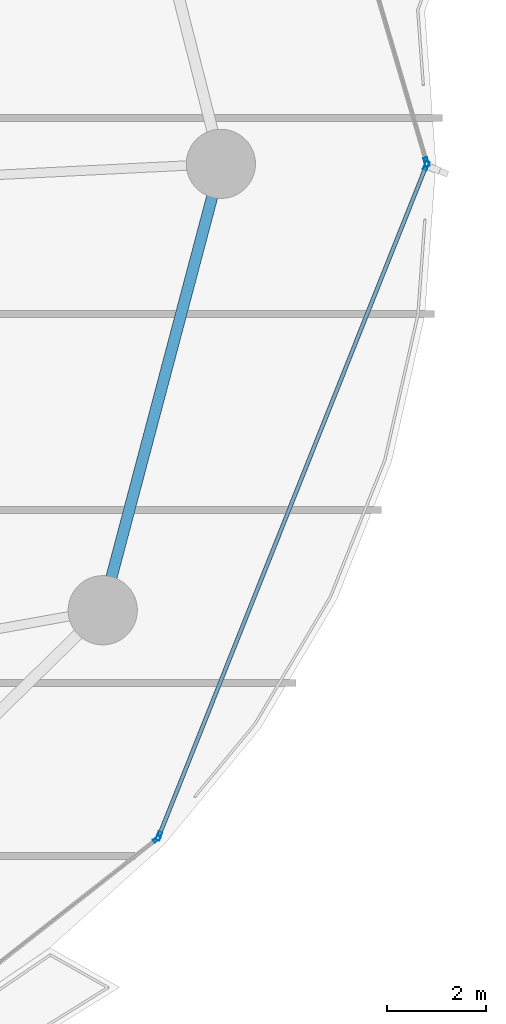
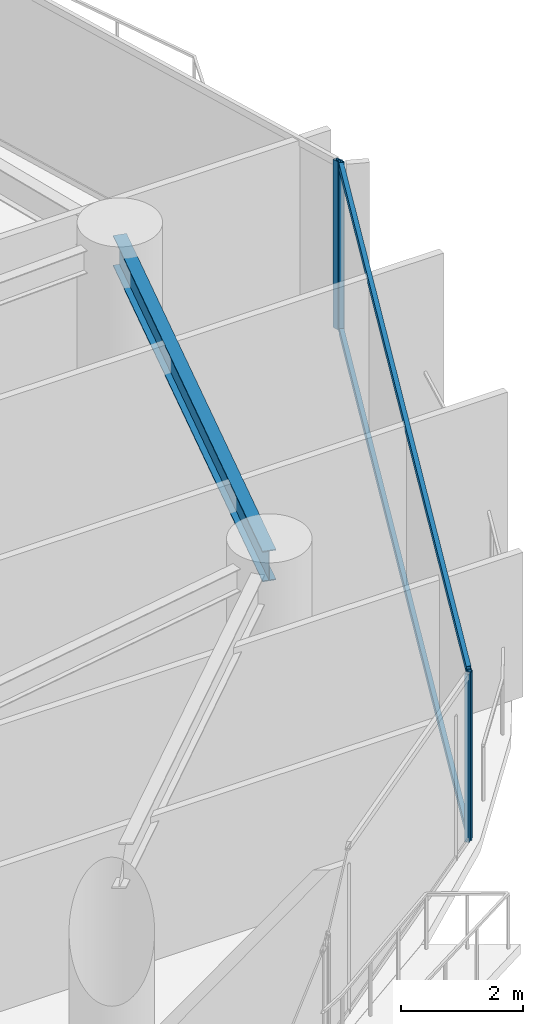
# One storey, part 22 of 32: 6 members, 1 beam, 3 elements without a shape of their own.
"""IFC4 building model written with IfcOpenShell, lengths in metres."""

from ifc_helpers import new_model, si_unit, direction, frame, origin, origin_2d, place, context, subcontext, project, spatial, hollow_rectangle, i_section, extrude, material, layer, layer_set, material_profile, profile_set, type_object, element, aggregate, save


model = new_model("IFC4")

# Units and contexts
model_context = context("Model", 3, precision=1e-05, world=origin(), true_north=direction((0.0, 1.0)))
body_context = subcontext(model_context, "Body", "Model", "MODEL_VIEW")
ifc_project = project(units=[si_unit("LENGTHUNIT", "METRE"), si_unit("AREAUNIT", "SQUARE_METRE"), si_unit("VOLUMEUNIT", "CUBIC_METRE"), si_unit("PLANEANGLEUNIT", "RADIAN"), si_unit("MASSUNIT", "GRAM", prefix="KILO")], contexts=[model_context])

# Site, building, storey
site_placement = place(None, origin())
site = spatial("IfcSite", under=ifc_project, at=site_placement, CompositionType="ELEMENT")
building_placement = place(site_placement, origin())
building = spatial("IfcBuilding", under=site, at=building_placement, Name="Kazevale Care Tower and Concert Hall", CompositionType="ELEMENT")
storey_placement = place(building_placement, frame((0.0, 0.0, 24.0)))
storey = spatial("IfcBuildingStorey", under=building, at=storey_placement, Name="L05", CompositionType="ELEMENT", Elevation=24.0)

# Curtain wall, members
ifc_material_1 = material(Name="Aluminium 6063-T6 and Low-E Glass", Category="aluminium")
ifc_layer_1 = layer(ifc_material_1, 0.179931640625)
ifc_layer_set_1 = layer_set([ifc_layer_1], Name="Aluminium 6063-T6 and Low-E Glass")
curtain_wall_type_1 = type_object("IfcCurtainWallType", Name="Waist & Upper Residential Curtain Wall CW-4", PredefinedType="NOTDEFINED", material=ifc_layer_set_1)
curtain_wall_1_placement = place(storey_placement, origin())
curtain_wall_1 = element("IfcCurtainWall", 1, at=curtain_wall_1_placement, inside=storey, type_object=curtain_wall_type_1, Name="cw:L05:f01", PredefinedType="NOTDEFINED")
ifc_material_2 = material(Name="Aluminium 6063-T6", Category="aluminium")
ifc_material_profile_1 = material_profile(ifc_material_2, hollow_rectangle(XDim=0.080078125, YDim=0.179931640625, WallThickness=0.0048828125, at=origin_2d()), Name="ALU80x180x5")
ifc_profile_set_1 = profile_set([ifc_material_profile_1], Name="Aluminium 6063-T6")
member_type_1 = type_object("IfcMemberType", Name="CW-4 Mullion ALU80x180x5", PredefinedType="MULLION", material=ifc_profile_set_1)
member_1_placement = place(storey_placement, frame((80.605224609375, 37.962890625, 0.0), z_axis=(0.0, 0.0, 1.0), x_axis=(0.928861412274, -0.370427424456, 0.0)))
member_1 = element("IfcMember", 2, at=member_1_placement, type_object=member_type_1, Name="CW-4 mullion 1", PredefinedType="MULLION", context=body_context, shape_type="SweptSolid", body=[
    extrude(hollow_rectangle(XDim=0.080078125, YDim=0.179931640625, WallThickness=0.0048828125, at=origin_2d()), origin(), (0.0, 0.0, 1.0), 3.360107421875),
])
member_2_placement = place(storey_placement, frame((75.19677734375, 24.401123046875, 0.0), z_axis=(0.0, 0.0, 1.0), x_axis=(0.928861412274, -0.370427424456, 0.0)))
member_2 = element("IfcMember", 3, at=member_2_placement, type_object=member_type_1, Name="CW-4 mullion 2", PredefinedType="MULLION", context=body_context, shape_type="SweptSolid", body=[
    extrude(hollow_rectangle(XDim=0.080078125, YDim=0.179931640625, WallThickness=0.0048828125, at=origin_2d()), origin(), (0.0, 0.0, 1.0), 3.360107421875),
])

# Curtain wall, member
curtain_wall_2_placement = place(storey_placement, origin())
curtain_wall_2 = element("IfcCurtainWall", 4, at=curtain_wall_2_placement, inside=storey, type_object=curtain_wall_type_1, Name="cw:L05:f18", PredefinedType="NOTDEFINED")
member_3_placement = place(storey_placement, frame((80.608642578125, 38.038330078125, 0.0), z_axis=(0.0, 0.0, 1.0), x_axis=(0.959173119586, 0.282819600918, 0.0)))
member_3 = element("IfcMember", 5, at=member_3_placement, type_object=member_type_1, Name="CW-4 mullion 2", PredefinedType="MULLION", context=body_context, shape_type="SweptSolid", body=[
    extrude(hollow_rectangle(XDim=0.080078125, YDim=0.179931640625, WallThickness=0.0048828125, at=origin_2d()), origin(), (0.0, 0.0, 1.0), 3.360107421875),
])
aggregate(curtain_wall_2, [member_3])

# Member
ifc_material_profile_2 = material_profile(ifc_material_2, hollow_rectangle(XDim=0.080078125, YDim=0.139892578125, WallThickness=0.00390625, at=origin_2d()), Name="ALU80x140x4")
ifc_profile_set_2 = profile_set([ifc_material_profile_2], Name="Aluminium 6063-T6")
member_type_2 = type_object("IfcMemberType", Name="CW-4 Transom ALU80x140x4", PredefinedType="USERDEFINED", material=ifc_profile_set_2)
member_4_placement = place(storey_placement, frame((80.59033203125, 37.92578125, 0.0400390625), z_axis=(-0.370419345682, -0.928864634026, 0.0), x_axis=(0.928864634026, -0.370419345682, 0.0)))
member_4 = element("IfcMember", 6, at=member_4_placement, type_object=member_type_2, Name="CW-4 transom 1.1", ObjectType="TRANSOM", PredefinedType="USERDEFINED", context=body_context, shape_type="SweptSolid", body=[
    extrude(hollow_rectangle(XDim=0.080078125, YDim=0.139892578125, WallThickness=0.00390625, at=origin_2d()), origin(), (0.0, 0.0, 1.0), 14.5205078125),
])

member_5_placement = place(storey_placement, frame((80.59033203125, 37.92578125, 3.320068359375), z_axis=(-0.370419345682, -0.928864634026, 0.0), x_axis=(0.928864634026, -0.370419345682, 0.0)))
member_5 = element("IfcMember", 7, at=member_5_placement, type_object=member_type_2, Name="CW-4 transom 1.2", ObjectType="TRANSOM", PredefinedType="USERDEFINED", context=body_context, shape_type="SweptSolid", body=[
    extrude(hollow_rectangle(XDim=0.080078125, YDim=0.139892578125, WallThickness=0.00390625, at=origin_2d()), origin(), (0.0, 0.0, 1.0), 14.5205078125),
])

aggregate(curtain_wall_1, [member_1, member_2, member_4, member_5])

# Curtain wall, member
ifc_layer_2 = layer(ifc_material_1, 0.179931640625)
ifc_layer_set_2 = layer_set([ifc_layer_2], Name="Aluminium 6063-T6 and Low-E Glass")
curtain_wall_type_2 = type_object("IfcCurtainWallType", Name="Sheltered Concave Balcony Curtain Wall CW-5", PredefinedType="NOTDEFINED", material=ifc_layer_set_2)
curtain_wall_3_placement = place(storey_placement, origin())
curtain_wall_3 = element("IfcCurtainWall", 8, at=curtain_wall_3_placement, inside=storey, type_object=curtain_wall_type_2, Name="cw:L05:f02", PredefinedType="NOTDEFINED")
ifc_material_profile_3 = material_profile(ifc_material_2, hollow_rectangle(XDim=0.074951171875, YDim=0.14990234375, WallThickness=0.00390625, at=origin_2d()), Name="ALU75x150x4")
ifc_profile_set_3 = profile_set([ifc_material_profile_3], Name="Aluminium 6063-T6")
member_type_3 = type_object("IfcMemberType", Name="CW-5 Mullion ALU75x150x4", PredefinedType="MULLION", material=ifc_profile_set_3)
member_6_placement = place(storey_placement, frame((75.152587890625, 24.3408203125, 0.0), z_axis=(0.0, 0.0, 1.0), x_axis=(0.617807548814, -0.78632934107, 0.0)))
member_6 = element("IfcMember", 9, at=member_6_placement, type_object=member_type_3, Name="CW-5 mullion 1", PredefinedType="MULLION", context=body_context, shape_type="SweptSolid", body=[
    extrude(hollow_rectangle(XDim=0.074951171875, YDim=0.14990234375, WallThickness=0.00390625, at=origin_2d()), origin(), (0.0, 0.0, 1.0), 3.360107421875),
])
aggregate(curtain_wall_3, [member_6])

# Beam
ifc_material_3 = material(Name="Steel ASTM A572 Gr 50", Category="steel")
ifc_material_profile_4 = material_profile(ifc_material_3, i_section(OverallWidth=0.22900390625, OverallDepth=0.612060546875, WebThickness=0.011962890625, FlangeThickness=0.01953125, at=origin_2d()), Name="W610x125")
ifc_profile_set_4 = profile_set([ifc_material_profile_4], Name="Steel ASTM A572 Gr 50")
beam_type = type_object("IfcBeamType", Name="Ring Spandrel Beam W610x125", PredefinedType="SPANDREL", material=ifc_profile_set_4)
beam_placement = place(storey_placement, frame((74.06005859375, 28.969970703125, 3.053955078125), z_axis=(0.255851611973, 0.966716066201, 0.0), x_axis=(-0.966716066201, 0.255851611973, 0.0)))
element("IfcBeam", 10, at=beam_placement, inside=storey, type_object=beam_type, Name="beam:L05:ring:16", PredefinedType="SPANDREL", context=body_context, shape_type="SweptSolid", body=[
    extrude(i_section(OverallWidth=0.22900390625, OverallDepth=0.612060546875, WebThickness=0.011962890625, FlangeThickness=0.01953125, at=origin_2d()), origin(), (0.0, 0.0, 1.0), 9.3408203125),
])

save(model, "model.ifc")
